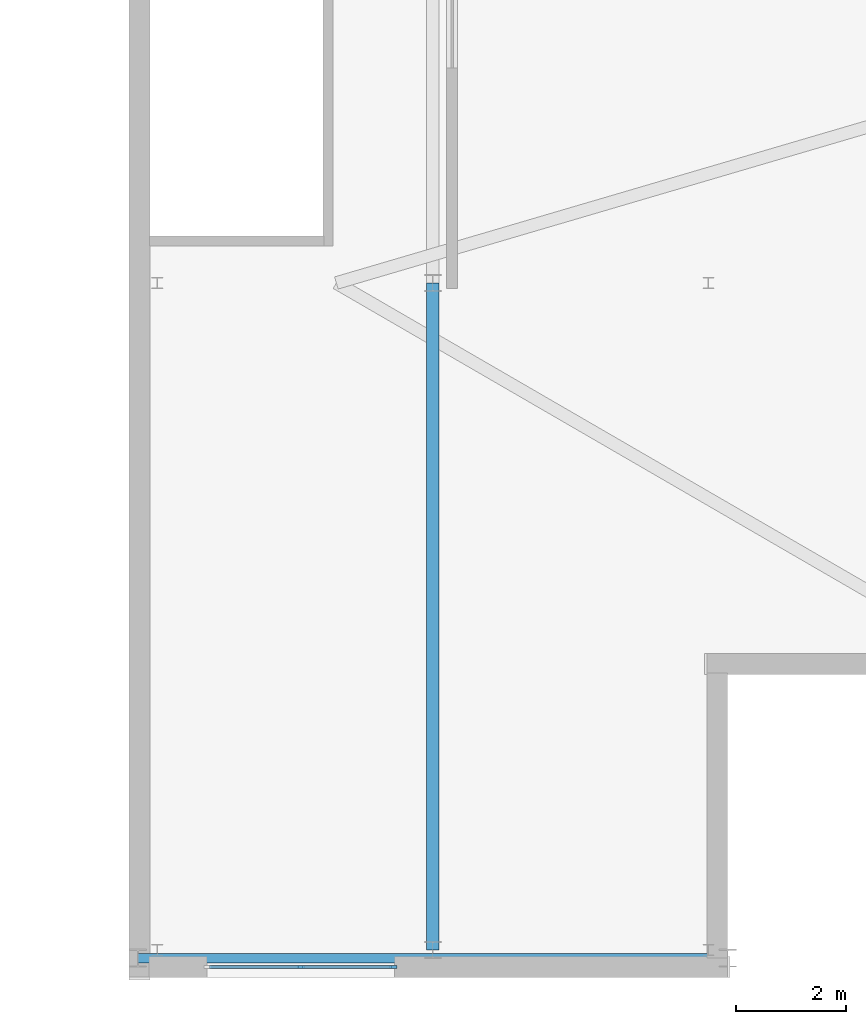
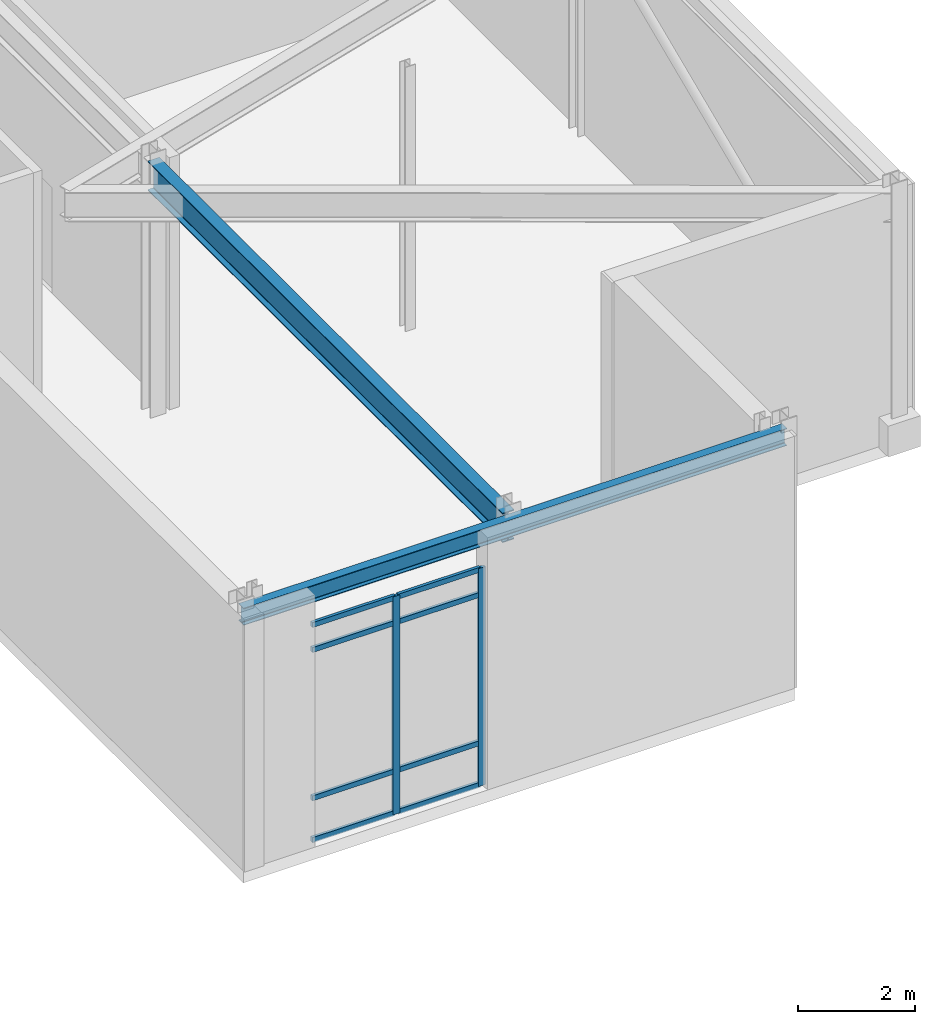
# One storey, part 8 of 14: 10 members, 2 beams, 1 element without a shape of its own.
"""IFC4 building model written with IfcOpenShell, lengths in metres."""

from ifc_helpers import new_model, si_unit, direction, frame, origin, origin_2d, place, context, subcontext, project, spatial, rectangle, i_section, extrude, material, layer, layer_set, material_profile, profile_set, type_object, element, aggregate, save


model = new_model("IFC4")

# Units and contexts
model_context = context("Model", 3, precision=1e-05, world=origin(), true_north=direction((0.0, 1.0)))
body_context = subcontext(model_context, "Body", "Model", "MODEL_VIEW")
ifc_project = project(units=[si_unit("LENGTHUNIT", "METRE"), si_unit("AREAUNIT", "SQUARE_METRE"), si_unit("VOLUMEUNIT", "CUBIC_METRE"), si_unit("PLANEANGLEUNIT", "RADIAN"), si_unit("MASSUNIT", "GRAM", prefix="KILO")], contexts=[model_context])

# Site, building, storey
site_placement = place(None, origin())
site = spatial("IfcSite", under=ifc_project, at=site_placement, CompositionType="ELEMENT")
building_placement = place(site_placement, origin())
building = spatial("IfcBuilding", under=site, at=building_placement, Name="Cairnveth Concourse Tower", CompositionType="ELEMENT")
storey_placement = place(building_placement, frame((0.0, 0.0, 330.0)))
storey = spatial("IfcBuildingStorey", under=building, at=storey_placement, Name="L90", CompositionType="ELEMENT", Elevation=330.0)

# Curtain wall, members
ifc_material_1 = material(Name="Architectural Bronze Anodised Aluminium 6063-T6", Category="aluminium")
ifc_layer = layer(ifc_material_1, 0.320068359375)
ifc_layer_set = layer_set([ifc_layer], Name="Architectural Bronze Anodised Aluminium 6063-T6")
curtain_wall_type = type_object("IfcCurtainWallType", Name="CROWN LANTERN GABLE CURTAIN WALL", PredefinedType="USERDEFINED", material=ifc_layer_set)
curtain_wall_placement = place(storey_placement, origin())
curtain_wall = element("IfcCurtainWall", 1, at=curtain_wall_placement, inside=storey, type_object=curtain_wall_type, Name="Curtain Wall CW-L90-CROWN-E7", ObjectType="SHOPFRONT GLAZING", PredefinedType="USERDEFINED")
ifc_material_profile_1 = material_profile(ifc_material_1, rectangle(XDim=0.06005859375, YDim=0.135009765625, at=origin_2d()), Name="AL-MUL-60x135")
ifc_profile_set_1 = profile_set([ifc_material_profile_1], Name="Architectural Bronze Anodised Aluminium 6063-T6")
member_type_1 = type_object("IfcMemberType", Name="BRONZE CURTAIN WALL MULLION AL-MUL-60x135", PredefinedType="MULLION", material=ifc_profile_set_1)
member_1_placement = place(storey_placement, frame((61.43505859375, 18.18994140625, 0.0), z_axis=(0.0, 0.0, 1.0), x_axis=(0.0, -1.0, 0.0)))
member_1 = element("IfcMember", 2, at=member_1_placement, type_object=member_type_1, Name="CWS6 mullion 1", PredefinedType="MULLION", context=body_context, shape_type="SweptSolid", body=[
    extrude(rectangle(XDim=0.06005859375, YDim=0.135009765625, at=origin_2d()), origin(), (0.0, 0.0, 1.0), 4.5380859375),
])
member_2_placement = place(storey_placement, frame((59.75, 18.18994140625, 0.0), z_axis=(0.0, 0.0, 1.0), x_axis=(0.0, -1.0, 0.0)))
member_2 = element("IfcMember", 3, at=member_2_placement, type_object=member_type_1, Name="CWS6 mullion 2", PredefinedType="MULLION", context=body_context, shape_type="SweptSolid", body=[
    extrude(rectangle(XDim=0.06005859375, YDim=0.135009765625, at=origin_2d()), origin(), (0.0, 0.0, 1.0), 4.5380859375),
])
ifc_material_profile_2 = material_profile(ifc_material_1, rectangle(XDim=0.06005859375, YDim=0.10498046875, at=origin_2d()), Name="AL-TRN-60x105")
ifc_profile_set_2 = profile_set([ifc_material_profile_2], Name="Architectural Bronze Anodised Aluminium 6063-T6")
member_type_2 = type_object("IfcMemberType", Name="BRONZE CURTAIN WALL TRANSOM AL-TRN-60x105", PredefinedType="USERDEFINED", material=ifc_profile_set_2)
member_3_placement = place(storey_placement, frame((61.405029296875, 18.18994140625, 0.030029296875), z_axis=(-1.0, 0.0, 0.0), x_axis=(0.0, -1.0, 0.0)))
member_3 = element("IfcMember", 4, at=member_3_placement, type_object=member_type_2, Name="CWS6 transom 1.1", ObjectType="TRANSOM", PredefinedType="USERDEFINED", context=body_context, shape_type="SweptSolid", body=[
    extrude(rectangle(XDim=0.06005859375, YDim=0.10498046875, at=origin_2d()), origin(), (0.0, 0.0, 1.0), 1.625),
])
member_4_placement = place(storey_placement, frame((61.405029296875, 18.18994140625, 0.89990234375), z_axis=(-1.0, 0.0, 0.0), x_axis=(0.0, -1.0, 0.0)))
member_4 = element("IfcMember", 5, at=member_4_placement, type_object=member_type_2, Name="CWS6 transom 1.2", ObjectType="TRANSOM", PredefinedType="USERDEFINED", context=body_context, shape_type="SweptSolid", body=[
    extrude(rectangle(XDim=0.06005859375, YDim=0.10498046875, at=origin_2d()), origin(), (0.0, 0.0, 1.0), 1.625),
])
member_5_placement = place(storey_placement, frame((61.405029296875, 18.18994140625, 3.988037109375), z_axis=(-1.0, 0.0, 0.0), x_axis=(0.0, -1.0, 0.0)))
member_5 = element("IfcMember", 6, at=member_5_placement, type_object=member_type_2, Name="CWS6 transom 1.3", ObjectType="TRANSOM", PredefinedType="USERDEFINED", context=body_context, shape_type="SweptSolid", body=[
    extrude(rectangle(XDim=0.06005859375, YDim=0.10498046875, at=origin_2d()), origin(), (0.0, 0.0, 1.0), 1.625),
])
member_6_placement = place(storey_placement, frame((61.405029296875, 18.18994140625, 4.508056640625), z_axis=(-1.0, 0.0, 0.0), x_axis=(0.0, -1.0, 0.0)))
member_6 = element("IfcMember", 7, at=member_6_placement, type_object=member_type_2, Name="CWS6 transom 1.4", ObjectType="TRANSOM", PredefinedType="USERDEFINED", context=body_context, shape_type="SweptSolid", body=[
    extrude(rectangle(XDim=0.06005859375, YDim=0.10498046875, at=origin_2d()), origin(), (0.0, 0.0, 1.0), 1.625),
])
member_7_placement = place(storey_placement, frame((59.719970703125, 18.18994140625, 0.030029296875), z_axis=(-1.0, 0.0, 0.0), x_axis=(0.0, -1.0, 0.0)))
member_7 = element("IfcMember", 8, at=member_7_placement, type_object=member_type_2, Name="CWS6 transom 2.1", ObjectType="TRANSOM", PredefinedType="USERDEFINED", context=body_context, shape_type="SweptSolid", body=[
    extrude(rectangle(XDim=0.06005859375, YDim=0.10498046875, at=origin_2d()), origin(), (0.0, 0.0, 1.0), 1.625),
])
member_8_placement = place(storey_placement, frame((59.719970703125, 18.18994140625, 0.89990234375), z_axis=(-1.0, 0.0, 0.0), x_axis=(0.0, -1.0, 0.0)))
member_8 = element("IfcMember", 9, at=member_8_placement, type_object=member_type_2, Name="CWS6 transom 2.2", ObjectType="TRANSOM", PredefinedType="USERDEFINED", context=body_context, shape_type="SweptSolid", body=[
    extrude(rectangle(XDim=0.06005859375, YDim=0.10498046875, at=origin_2d()), origin(), (0.0, 0.0, 1.0), 1.625),
])
member_9_placement = place(storey_placement, frame((59.719970703125, 18.18994140625, 3.988037109375), z_axis=(-1.0, 0.0, 0.0), x_axis=(0.0, -1.0, 0.0)))
member_9 = element("IfcMember", 10, at=member_9_placement, type_object=member_type_2, Name="CWS6 transom 2.3", ObjectType="TRANSOM", PredefinedType="USERDEFINED", context=body_context, shape_type="SweptSolid", body=[
    extrude(rectangle(XDim=0.06005859375, YDim=0.10498046875, at=origin_2d()), origin(), (0.0, 0.0, 1.0), 1.625),
])
member_10_placement = place(storey_placement, frame((59.719970703125, 18.18994140625, 4.508056640625), z_axis=(-1.0, 0.0, 0.0), x_axis=(0.0, -1.0, 0.0)))
member_10 = element("IfcMember", 11, at=member_10_placement, type_object=member_type_2, Name="CWS6 transom 2.4", ObjectType="TRANSOM", PredefinedType="USERDEFINED", context=body_context, shape_type="SweptSolid", body=[
    extrude(rectangle(XDim=0.06005859375, YDim=0.10498046875, at=origin_2d()), origin(), (0.0, 0.0, 1.0), 1.625),
])
aggregate(curtain_wall, [member_1, member_2, member_3, member_4, member_5, member_6, member_7, member_8, member_9, member_10])

# Beams
ifc_material_2 = material(Name="Steel Grade 350", Category="steel")
ifc_material_profile_3 = material_profile(ifc_material_2, i_section(OverallWidth=0.22900390625, OverallDepth=0.612060546875, WebThickness=0.011962890625, FlangeThickness=0.01953125, FilletRadius=0.013916015625, at=origin_2d()), Name="610UB125")
ifc_profile_set_3 = profile_set([ifc_material_profile_3], Name="Steel Grade 350")
beam_type_1 = type_object("IfcBeamType", Name="ZONE 4 RADIAL GIRDER 610UB125", PredefinedType="BEAM", material=ifc_profile_set_3)
beam_1_placement = place(storey_placement, frame((62.14990234375, 18.5, 4.944091796875), z_axis=(0.0, 1.0, 0.0), x_axis=(-1.0, 0.0, 0.0)))
element("IfcBeam", 12, at=beam_1_placement, inside=storey, type_object=beam_type_1, Name="Beam CB-EM1 L90", PredefinedType="BEAM", context=body_context, shape_type="SweptSolid", body=[
    extrude(i_section(OverallWidth=0.22900390625, OverallDepth=0.612060546875, WebThickness=0.011962890625, FlangeThickness=0.01953125, FilletRadius=0.013916015625, at=origin_2d()), origin(), (0.0, 0.0, 1.0), 12.10009765625),
])
ifc_material_profile_4 = material_profile(ifc_material_2, i_section(OverallWidth=0.172119140625, OverallDepth=0.35888671875, WebThickness=0.008056640625, FlangeThickness=0.012939453125, FilletRadius=0.010986328125, at=origin_2d()), Name="360UB56.7")
ifc_profile_set_4 = profile_set([ifc_material_profile_4], Name="Steel Grade 350")
beam_type_2 = type_object("IfcBeamType", Name="ZONE 4 SPANDREL BEAM 360UB56.7", PredefinedType="SPANDREL", material=ifc_profile_set_4)
beam_2_placement = place(storey_placement, frame((56.800048828125, 18.35009765625, 5.070556640625), z_axis=(1.0, 0.0, 0.0), x_axis=(0.0, 1.0, 0.0)))
element("IfcBeam", 13, at=beam_2_placement, inside=storey, type_object=beam_type_2, Name="Beam CSP-ES L90", PredefinedType="SPANDREL", context=body_context, shape_type="SweptSolid", body=[
    extrude(i_section(OverallWidth=0.172119140625, OverallDepth=0.35888671875, WebThickness=0.008056640625, FlangeThickness=0.012939453125, FilletRadius=0.010986328125, at=origin_2d()), origin(), (0.0, 0.0, 1.0), 10.699951171875),
])

save(model, "model.ifc")
